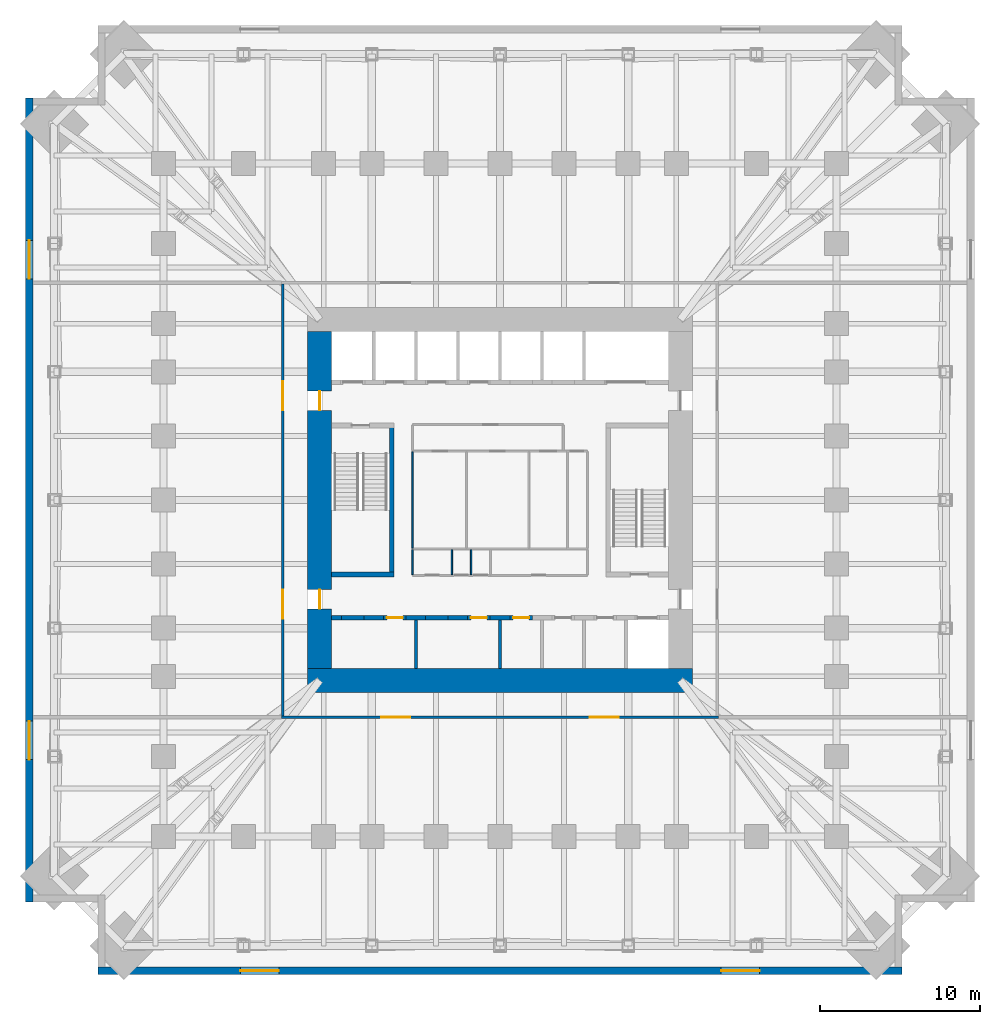
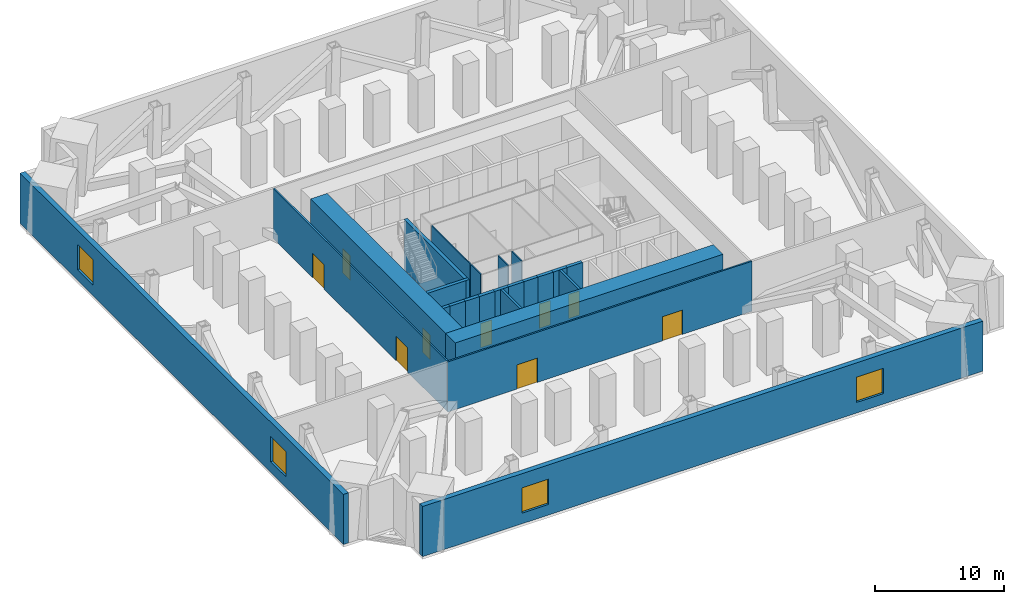
# One storey, part 5 of 9: 24 walls, 9 doors, 4 windows, 13 openings.
"""IFC4 building model written with IfcOpenShell, lengths in metres."""

from ifc_helpers import new_model, si_unit, direction, frame, frame_2d, origin, place, context, subcontext, project, spatial, rectangle, extrude, material, layer, layer_set, type_object, element, fill, save


model = new_model("IFC4")

# Units and contexts
model_context = context("Model", 3, precision=1e-05, world=origin(), true_north=direction((0.0, 1.0)))
body_context = subcontext(model_context, "Body", "Model", "MODEL_VIEW")
ifc_project = project(units=[si_unit("LENGTHUNIT", "METRE"), si_unit("AREAUNIT", "SQUARE_METRE"), si_unit("VOLUMEUNIT", "CUBIC_METRE"), si_unit("PLANEANGLEUNIT", "RADIAN"), si_unit("MASSUNIT", "GRAM", prefix="KILO")], contexts=[model_context])

# Site, building, storey
site_placement = place(None, origin())
site = spatial("IfcSite", under=ifc_project, at=site_placement, CompositionType="ELEMENT")
building_placement = place(site_placement, origin())
building = spatial("IfcBuilding", under=site, at=building_placement, Name="Peilmerk Tower", CompositionType="ELEMENT")
storey_placement = place(building_placement, frame((0.0, 0.0, 76.0)))
storey = spatial("IfcBuildingStorey", under=building, at=storey_placement, Name="L14", CompositionType="ELEMENT", Elevation=76.0)

# Wall, openings, windows
ifc_material_1 = material(Name="Precast concrete C45/55, board-marked finish", Category="concrete")
ifc_layer_1 = layer(ifc_material_1, 0.449951171875)
ifc_layer_set_1 = layer_set([ifc_layer_1], Name="Precast concrete C45/55, board-marked finish")
wall_type_1 = type_object("IfcWallType", Name="EW1 450 precast concrete facade wall, board-marked", PredefinedType="SOLIDWALL", material=ifc_layer_set_1)
wall_1_placement = place(storey_placement, frame((-25.10009765625, -29.375, 0.0), z_axis=(0.0, 0.0, 1.0), x_axis=(1.0, 0.0, 0.0)))
wall_1 = element("IfcWall", 1, at=wall_1_placement, inside=storey, type_object=wall_type_1, Name="Facade wall S L14", PredefinedType="SOLIDWALL", context=body_context, shape_type="SweptSolid", body=[
    extrude(rectangle(XDim=50.2001953125, YDim=0.449951171875, at=frame_2d((25.10009765625, 0.0))), origin(), (0.0, 0.0, 1.0), 4.75),
])
opening_1_placement = place(wall_1_placement, frame((8.89990234375, 0.0, 1.0)))
opening_1 = element("IfcOpeningElement", 2, at=opening_1_placement, cuts=wall_1, Name="Opening W5", PredefinedType="OPENING", context=body_context, shape_type="SweptSolid", body=[
    extrude(rectangle(XDim=2.39990234375, YDim=2.39990234375, at=frame_2d((1.199951171875, 1.199951171875))), frame((0.0, 0.23486328125, 0.0), z_axis=(0.0, -1.0, 0.0), x_axis=(1.0, 0.0, 0.0)), (0.0, 0.0, 1.0), 0.469970703125),
])
opening_2_placement = place(wall_1_placement, frame((38.89990234375, 0.0, 1.0)))
opening_2 = element("IfcOpeningElement", 3, at=opening_2_placement, cuts=wall_1, Name="Opening W5", PredefinedType="OPENING", context=body_context, shape_type="SweptSolid", body=[
    extrude(rectangle(XDim=2.39990234375, YDim=2.39990234375, at=frame_2d((1.199951171875, 1.199951171875))), frame((0.0, 0.23486328125, 0.0), z_axis=(0.0, -1.0, 0.0), x_axis=(1.0, 0.0, 0.0)), (0.0, 0.0, 1.0), 0.469970703125),
])
ifc_material_2 = material(Name="Aluminium frame, clear double glazing", Category="aluminium")
window_type = type_object("IfcWindowType", Name="W5 2400x2400 plant louvre", PartitioningType="SINGLE_PANEL", PredefinedType="WINDOW", material=ifc_material_2)
window_1_placement = place(opening_1_placement, origin())
window_1 = element("IfcWindow", 4, at=window_1_placement, inside=storey, type_object=window_type, Name="Window W5 L14", OverallHeight=2.39990234375, OverallWidth=2.39990234375, PartitioningType="SINGLE_PANEL", PredefinedType="WINDOW", context=body_context, shape_type="SweptSolid", body=[
    extrude(rectangle(XDim=2.39990234375, YDim=2.39990234375, at=frame_2d((1.199951171875, 1.199951171875))), frame((0.0, 0.030029296875, 0.0), z_axis=(0.0, -1.0, 0.0), x_axis=(1.0, 0.0, 0.0)), (0.0, 0.0, 1.0), 0.06005859375),
])
fill(opening_1, window_1)
window_2_placement = place(opening_2_placement, origin())
window_2 = element("IfcWindow", 5, at=window_2_placement, inside=storey, type_object=window_type, Name="Window W5 L14", OverallHeight=2.39990234375, OverallWidth=2.39990234375, PartitioningType="SINGLE_PANEL", PredefinedType="WINDOW", context=body_context, shape_type="SweptSolid", body=[
    extrude(rectangle(XDim=2.39990234375, YDim=2.39990234375, at=frame_2d((1.199951171875, 1.199951171875))), frame((0.0, 0.030029296875, 0.0), z_axis=(0.0, -1.0, 0.0), x_axis=(1.0, 0.0, 0.0)), (0.0, 0.0, 1.0), 0.06005859375),
])
fill(opening_2, window_2)

wall_2_placement = place(storey_placement, frame((-29.375, 25.10009765625, 0.0), z_axis=(0.0, 0.0, 1.0), x_axis=(0.0, -1.0, 0.0)))
wall_2 = element("IfcWall", 6, at=wall_2_placement, inside=storey, type_object=wall_type_1, Name="Facade wall W L14", PredefinedType="SOLIDWALL", context=body_context, shape_type="SweptSolid", body=[
    extrude(rectangle(XDim=50.2001953125, YDim=0.449951171875, at=frame_2d((25.10009765625, 0.0))), origin(), (0.0, 0.0, 1.0), 4.75),
])
opening_3_placement = place(wall_2_placement, frame((8.89990234375, 0.0, 1.0)))
opening_3 = element("IfcOpeningElement", 7, at=opening_3_placement, cuts=wall_2, Name="Opening W5", PredefinedType="OPENING", context=body_context, shape_type="SweptSolid", body=[
    extrude(rectangle(XDim=2.39990234375, YDim=2.39990234375, at=frame_2d((1.199951171875, 1.199951171875))), frame((0.0, 0.23486328125, 0.0), z_axis=(0.0, -1.0, 0.0), x_axis=(1.0, 0.0, 0.0)), (0.0, 0.0, 1.0), 0.469970703125),
])
opening_4_placement = place(wall_2_placement, frame((38.89990234375, 0.0, 1.0)))
opening_4 = element("IfcOpeningElement", 8, at=opening_4_placement, cuts=wall_2, Name="Opening W5", PredefinedType="OPENING", context=body_context, shape_type="SweptSolid", body=[
    extrude(rectangle(XDim=2.39990234375, YDim=2.39990234375, at=frame_2d((1.199951171875, 1.199951171875))), frame((0.0, 0.23486328125, 0.0), z_axis=(0.0, -1.0, 0.0), x_axis=(1.0, 0.0, 0.0)), (0.0, 0.0, 1.0), 0.469970703125),
])
window_3_placement = place(opening_3_placement, origin())
window_3 = element("IfcWindow", 9, at=window_3_placement, inside=storey, type_object=window_type, Name="Window W5 L14", OverallHeight=2.39990234375, OverallWidth=2.39990234375, PartitioningType="SINGLE_PANEL", PredefinedType="WINDOW", context=body_context, shape_type="SweptSolid", body=[
    extrude(rectangle(XDim=2.39990234375, YDim=2.39990234375, at=frame_2d((1.199951171875, 1.199951171875))), frame((0.0, 0.030029296875, 0.0), z_axis=(0.0, -1.0, 0.0), x_axis=(1.0, 0.0, 0.0)), (0.0, 0.0, 1.0), 0.06005859375),
])
fill(opening_3, window_3)
window_4_placement = place(opening_4_placement, origin())
window_4 = element("IfcWindow", 10, at=window_4_placement, inside=storey, type_object=window_type, Name="Window W5 L14", OverallHeight=2.39990234375, OverallWidth=2.39990234375, PartitioningType="SINGLE_PANEL", PredefinedType="WINDOW", context=body_context, shape_type="SweptSolid", body=[
    extrude(rectangle(XDim=2.39990234375, YDim=2.39990234375, at=frame_2d((1.199951171875, 1.199951171875))), frame((0.0, 0.030029296875, 0.0), z_axis=(0.0, -1.0, 0.0), x_axis=(1.0, 0.0, 0.0)), (0.0, 0.0, 1.0), 0.06005859375),
])
fill(opening_4, window_4)

# Wall, openings, doors
ifc_material_3 = material(Name="Calcium silicate block", Category="masonry")
ifc_layer_2 = layer(ifc_material_3, 0.14990234375)
ifc_layer_set_2 = layer_set([ifc_layer_2], Name="Calcium silicate block")
wall_type_2 = type_object("IfcWallType", Name="IW1 150 corridor partition, EI 60", PredefinedType="PARTITIONING", material=ifc_layer_set_2)
wall_3_placement = place(storey_placement, frame((13.625, -13.550048828125, 0.0), z_axis=(0.0, 0.0, 1.0), x_axis=(-1.0, 0.0, 0.0)))
wall_3 = element("IfcWall", 11, at=wall_3_placement, inside=storey, type_object=wall_type_2, Name="Corridor wall S L14", PredefinedType="PARTITIONING", context=body_context, shape_type="SweptSolid", body=[
    extrude(rectangle(XDim=27.25, YDim=0.14990234375, at=frame_2d((13.625, 0.0))), origin(), (0.0, 0.0, 1.0), 4.75),
])
opening_5_placement = place(wall_3_placement, frame((19.22509765625, 0.0, 0.0)))
opening_5 = element("IfcOpeningElement", 12, at=opening_5_placement, cuts=wall_3, Name="Opening D2", PredefinedType="OPENING", context=body_context, shape_type="SweptSolid", body=[
    extrude(rectangle(XDim=1.800048828125, YDim=2.300048828125, at=frame_2d((0.89990234375, 1.14990234375))), frame((0.0, 0.0849609375, 0.0), z_axis=(0.0, -1.0, 0.0), x_axis=(1.0, 0.0, 0.0)), (0.0, 0.0, 1.0), 0.169921875),
])
opening_6_placement = place(wall_3_placement, frame((6.22509765625, 0.0, 0.0)))
opening_6 = element("IfcOpeningElement", 13, at=opening_6_placement, cuts=wall_3, Name="Opening D2", PredefinedType="OPENING", context=body_context, shape_type="SweptSolid", body=[
    extrude(rectangle(XDim=1.800048828125, YDim=2.300048828125, at=frame_2d((0.89990234375, 1.14990234375))), frame((0.0, 0.0849609375, 0.0), z_axis=(0.0, -1.0, 0.0), x_axis=(1.0, 0.0, 0.0)), (0.0, 0.0, 1.0), 0.169921875),
])
ifc_material_4 = material(Name="Steel door in steel frame", Category="steel")
door_type_1 = type_object("IfcDoorType", Name="D2 1800x2300 double door, EI2 60", OperationType="DOUBLE_DOOR_DOUBLE_SWING", PredefinedType="DOOR", material=ifc_material_4)
door_1_placement = place(opening_5_placement, origin())
door_1 = element("IfcDoor", 14, at=door_1_placement, inside=storey, type_object=door_type_1, Name="Door Plant room L14", OperationType="DOUBLE_DOOR_DOUBLE_SWING", OverallHeight=2.300048828125, OverallWidth=1.800048828125, PredefinedType="DOOR", context=body_context, shape_type="SweptSolid", body=[
    extrude(rectangle(XDim=1.800048828125, YDim=2.300048828125, at=frame_2d((0.89990234375, 1.14990234375))), frame((0.0, 0.02490234375, 0.0), z_axis=(0.0, -1.0, 0.0), x_axis=(1.0, 0.0, 0.0)), (0.0, 0.0, 1.0), 0.050048828125),
])
fill(opening_5, door_1)
door_2_placement = place(opening_6_placement, origin())
door_2 = element("IfcDoor", 15, at=door_2_placement, inside=storey, type_object=door_type_1, Name="Door Plant room L14", OperationType="DOUBLE_DOOR_DOUBLE_SWING", OverallHeight=2.300048828125, OverallWidth=1.800048828125, PredefinedType="DOOR", context=body_context, shape_type="SweptSolid", body=[
    extrude(rectangle(XDim=1.800048828125, YDim=2.300048828125, at=frame_2d((0.89990234375, 1.14990234375))), frame((0.0, 0.02490234375, 0.0), z_axis=(0.0, -1.0, 0.0), x_axis=(1.0, 0.0, 0.0)), (0.0, 0.0, 1.0), 0.050048828125),
])
fill(opening_6, door_2)

wall_4_placement = place(storey_placement, frame((-13.550048828125, 13.47509765625, 0.0), z_axis=(0.0, 0.0, 1.0), x_axis=(0.0, -1.0, 0.0)))
wall_4 = element("IfcWall", 16, at=wall_4_placement, inside=storey, type_object=wall_type_2, Name="Corridor wall W L14", PredefinedType="PARTITIONING", context=body_context, shape_type="SweptSolid", body=[
    extrude(rectangle(XDim=26.9501953125, YDim=0.14990234375, at=frame_2d((13.47509765625, 0.0))), origin(), (0.0, 0.0, 1.0), 4.75),
])
opening_7_placement = place(wall_4_placement, frame((19.074951171875, 0.0, 0.0)))
opening_7 = element("IfcOpeningElement", 17, at=opening_7_placement, cuts=wall_4, Name="Opening D2", PredefinedType="OPENING", context=body_context, shape_type="SweptSolid", body=[
    extrude(rectangle(XDim=1.800048828125, YDim=2.300048828125, at=frame_2d((0.89990234375, 1.14990234375))), frame((0.0, 0.0849609375, 0.0), z_axis=(0.0, -1.0, 0.0), x_axis=(1.0, 0.0, 0.0)), (0.0, 0.0, 1.0), 0.169921875),
])
opening_8_placement = place(wall_4_placement, frame((6.074951171875, 0.0, 0.0)))
opening_8 = element("IfcOpeningElement", 18, at=opening_8_placement, cuts=wall_4, Name="Opening D2", PredefinedType="OPENING", context=body_context, shape_type="SweptSolid", body=[
    extrude(rectangle(XDim=1.800048828125, YDim=2.300048828125, at=frame_2d((0.89990234375, 1.14990234375))), frame((0.0, 0.0849609375, 0.0), z_axis=(0.0, -1.0, 0.0), x_axis=(1.0, 0.0, 0.0)), (0.0, 0.0, 1.0), 0.169921875),
])
door_3_placement = place(opening_7_placement, frame((1.800048828125, 0.0, 0.0), z_axis=(0.0, 0.0, 1.0), x_axis=(-1.0, 0.0, 0.0)))
door_3 = element("IfcDoor", 19, at=door_3_placement, inside=storey, type_object=door_type_1, Name="Door Plant room L14", OperationType="DOUBLE_DOOR_DOUBLE_SWING", OverallHeight=2.300048828125, OverallWidth=1.800048828125, PredefinedType="DOOR", context=body_context, shape_type="SweptSolid", body=[
    extrude(rectangle(XDim=1.800048828125, YDim=2.300048828125, at=frame_2d((0.89990234375, 1.14990234375))), frame((0.0, 0.02490234375, 0.0), z_axis=(0.0, -1.0, 0.0), x_axis=(1.0, 0.0, 0.0)), (0.0, 0.0, 1.0), 0.050048828125),
])
fill(opening_7, door_3)
door_4_placement = place(opening_8_placement, frame((1.800048828125, 0.0, 0.0), z_axis=(0.0, 0.0, 1.0), x_axis=(-1.0, 0.0, 0.0)))
door_4 = element("IfcDoor", 20, at=door_4_placement, inside=storey, type_object=door_type_1, Name="Door Plant room L14", OperationType="DOUBLE_DOOR_DOUBLE_SWING", OverallHeight=2.300048828125, OverallWidth=1.800048828125, PredefinedType="DOOR", context=body_context, shape_type="SweptSolid", body=[
    extrude(rectangle(XDim=1.800048828125, YDim=2.300048828125, at=frame_2d((0.89990234375, 1.14990234375))), frame((0.0, 0.02490234375, 0.0), z_axis=(0.0, -1.0, 0.0), x_axis=(1.0, 0.0, 0.0)), (0.0, 0.0, 1.0), 0.050048828125),
])
fill(opening_8, door_4)

# Walls
ifc_material_5 = material(Name="Concrete C35/45", Category="concrete")
ifc_layer_3 = layer(ifc_material_5, 0.300048828125)
ifc_layer_set_3 = layer_set([ifc_layer_3], Name="Concrete C35/45")
wall_type_3 = type_object("IfcWallType", Name="IW3 300 concrete stair enclosure wall, EI 120", PredefinedType="SOLIDWALL", material=ifc_layer_set_3)
wall_5_placement = place(storey_placement, frame((-6.75, -4.800048828125, 0.0), z_axis=(0.0, 0.0, 1.0), x_axis=(0.0, 1.0, 0.0)))
element("IfcWall", 21, at=wall_5_placement, inside=storey, type_object=wall_type_3, Name="Stair 1 enclosure L14", PredefinedType="SOLIDWALL", context=body_context, shape_type="SweptSolid", body=[
    extrude(rectangle(XDim=9.60009765625, YDim=0.300048828125, at=frame_2d((4.800048828125, 0.0))), origin(), (0.0, 0.0, 1.0), 4.75),
])
wall_6_placement = place(storey_placement, frame((-6.60009765625, -4.64990234375, 0.0), z_axis=(0.0, 0.0, 1.0), x_axis=(-1.0, 0.0, 0.0)))
element("IfcWall", 22, at=wall_6_placement, inside=storey, type_object=wall_type_3, Name="Stair 1 enclosure L14", PredefinedType="SOLIDWALL", context=body_context, shape_type="SweptSolid", body=[
    extrude(rectangle(XDim=3.89990234375, YDim=0.300048828125, at=frame_2d((1.949951171875, 0.0))), origin(), (0.0, 0.0, 1.0), 4.75),
])
ifc_material_6 = material(Name="Plasterboard on steel studs", Category="steel")
ifc_layer_4 = layer(ifc_material_6, 0.10009765625)
ifc_layer_set_4 = layer_set([ifc_layer_4], Name="Plasterboard on steel studs")
wall_type_4 = type_object("IfcWallType", Name="IW4 100 WC partition", PredefinedType="PARTITIONING", material=ifc_layer_set_4)
wall_7_placement = place(storey_placement, frame((-5.449951171875, -3.0, 0.0), z_axis=(0.0, 0.0, 1.0), x_axis=(0.0, 1.0, 0.0)))
element("IfcWall", 23, at=wall_7_placement, inside=storey, type_object=wall_type_4, Name="WC wall L14", PredefinedType="PARTITIONING", context=body_context, shape_type="SweptSolid", body=[
    extrude(rectangle(XDim=6.0, YDim=0.10009765625, at=frame_2d((3.0, 0.0))), origin(), (0.0, 0.0, 1.0), 4.75),
])
ifc_material_7 = material(Name="Calcium silicate board on steel studs", Category="steel")
ifc_layer_5 = layer(ifc_material_7, 0.10009765625)
ifc_layer_set_5 = layer_set([ifc_layer_5], Name="Calcium silicate board on steel studs")
wall_type_5 = type_object("IfcWallType", Name="IW5 100 riser enclosure wall, EI 60", PredefinedType="PARTITIONING", material=ifc_layer_set_5)
for number, where, z_axis, x_axis, name in (
    (24, (-5.449951171875, -3.10009765625, 0.0), (0.0, 0.0, 1.0), (0.0, -1.0, 0.0), "Riser wall L14"),
    (25, (-3.0, -3.10009765625, 0.0), (0.0, 0.0, 1.0), (0.0, -1.0, 0.0), "Riser wall L14"),
    (26, (-1.800048828125, -3.10009765625, 0.0), (0.0, 0.0, 1.0), (0.0, -1.0, 0.0), "Riser wall L14"),
):
    element("IfcWall", number, at=place(storey_placement, frame(where, z_axis=z_axis, x_axis=x_axis)), inside=storey, type_object=wall_type_5, Name=name, PredefinedType="PARTITIONING", context=body_context, shape_type="SweptSolid", body=[
        extrude(rectangle(XDim=1.5498046875, YDim=0.10009765625, at=frame_2d((0.77490234375, 0.0))), origin(), (0.0, 0.0, 1.0), 4.75),
    ])
ifc_layer_6 = layer(ifc_material_3, 0.199951171875)
ifc_layer_set_6 = layer_set([ifc_layer_6], Name="Calcium silicate block")
wall_type_6 = type_object("IfcWallType", Name="SH1 200 shaft dividing wall, EI 120", PredefinedType="PARTITIONING", material=ifc_layer_set_6)
for number, where, z_axis, x_axis, name in (
    (27, (-5.25, -10.5, 0.0), (0.0, 0.0, 1.0), (0.0, 1.0, 0.0), "Shaft wall S C3 L14"),
    (28, (0.0, -10.5, 0.0), (0.0, 0.0, 1.0), (0.0, 1.0, 0.0), "Shaft wall S C1 L14"),
):
    element("IfcWall", number, at=place(storey_placement, frame(where, z_axis=z_axis, x_axis=x_axis)), inside=storey, type_object=wall_type_6, Name=name, PredefinedType="PARTITIONING", context=body_context, shape_type="SweptSolid", body=[
        extrude(rectangle(XDim=3.0, YDim=0.199951171875, at=frame_2d((1.5, 0.0))), origin(), (0.0, 0.0, 1.0), 5.0),
    ])
ifc_layer_7 = layer(ifc_material_3, 0.300048828125)
ifc_layer_set_7 = layer_set([ifc_layer_7], Name="Calcium silicate block")
wall_type_7 = type_object("IfcWallType", Name="SH2 300 lift landing door panel, EI 120", PredefinedType="PARTITIONING", material=ifc_layer_set_7)
wall_8_placement = place(storey_placement, frame((-9.887451171875, -7.35009765625, 0.0), z_axis=(0.0, 0.0, 1.0), x_axis=(1.0, 0.0, 0.0)))
element("IfcWall", 29, at=wall_8_placement, inside=storey, type_object=wall_type_7, Name="Lift door panel S C4 L14", PredefinedType="PARTITIONING", context=body_context, shape_type="SweptSolid", body=[
    extrude(rectangle(XDim=1.39990234375, YDim=0.300048828125, at=frame_2d((0.699951171875, 0.0))), origin(), (0.0, 0.0, 1.0), 5.0),
])

# Wall, opening, door
wall_9_placement = place(storey_placement, frame((-7.262451171875, -7.35009765625, 0.0), z_axis=(0.0, 0.0, 1.0), x_axis=(1.0, 0.0, 0.0)))
wall_9 = element("IfcWall", 30, at=wall_9_placement, inside=storey, type_object=wall_type_7, Name="Lift door panel S C3 L14", PredefinedType="PARTITIONING", context=body_context, shape_type="SweptSolid", body=[
    extrude(rectangle(XDim=1.39990234375, YDim=0.300048828125, at=frame_2d((0.699951171875, 0.0))), origin(), (0.0, 0.0, 1.0), 5.0),
])
opening_9_placement = place(wall_9_placement, frame((0.199951171875, 0.0, 0.0)))
opening_9 = element("IfcOpeningElement", 31, at=opening_9_placement, cuts=wall_9, Name="Opening D10", PredefinedType="OPENING", context=body_context, shape_type="SweptSolid", body=[
    extrude(rectangle(XDim=1.0, YDim=2.300048828125, at=frame_2d((0.5, 1.14990234375))), frame((0.0, 0.159912109375, 0.0), z_axis=(0.0, -1.0, 0.0), x_axis=(1.0, 0.0, 0.0)), (0.0, 0.0, 1.0), 0.320068359375),
])
door_type_2 = type_object("IfcDoorType", Name="D10 1000x2300 core room door, EI2 60", OperationType="SINGLE_SWING_RIGHT", PredefinedType="DOOR", material=ifc_material_4)
door_5_placement = place(opening_9_placement, frame((1.0, 0.0, 0.0), z_axis=(0.0, 0.0, 1.0), x_axis=(-1.0, 0.0, 0.0)))
door_5 = element("IfcDoor", 32, at=door_5_placement, inside=storey, type_object=door_type_2, Name="Door Plant room L14", OperationType="SINGLE_SWING_RIGHT", OverallHeight=2.300048828125, OverallWidth=1.0, PredefinedType="DOOR", context=body_context, shape_type="SweptSolid", body=[
    extrude(rectangle(XDim=1.0, YDim=2.300048828125, at=frame_2d((0.5, 1.14990234375))), frame((0.0, 0.02490234375, 0.0), z_axis=(0.0, -1.0, 0.0), x_axis=(1.0, 0.0, 0.0)), (0.0, 0.0, 1.0), 0.050048828125),
])
fill(opening_9, door_5)

# Wall
wall_10_placement = place(storey_placement, frame((-4.637451171875, -7.35009765625, 0.0), z_axis=(0.0, 0.0, 1.0), x_axis=(1.0, 0.0, 0.0)))
element("IfcWall", 33, at=wall_10_placement, inside=storey, type_object=wall_type_7, Name="Lift door panel S C2 L14", PredefinedType="PARTITIONING", context=body_context, shape_type="SweptSolid", body=[
    extrude(rectangle(XDim=1.39990234375, YDim=0.300048828125, at=frame_2d((0.699951171875, 0.0))), origin(), (0.0, 0.0, 1.0), 5.0),
])

# Wall, opening, door
wall_11_placement = place(storey_placement, frame((-2.012451171875, -7.35009765625, 0.0), z_axis=(0.0, 0.0, 1.0), x_axis=(1.0, 0.0, 0.0)))
wall_11 = element("IfcWall", 34, at=wall_11_placement, inside=storey, type_object=wall_type_7, Name="Lift door panel S C1 L14", PredefinedType="PARTITIONING", context=body_context, shape_type="SweptSolid", body=[
    extrude(rectangle(XDim=1.39990234375, YDim=0.300048828125, at=frame_2d((0.699951171875, 0.0))), origin(), (0.0, 0.0, 1.0), 5.0),
])
opening_10_placement = place(wall_11_placement, frame((0.199951171875, 0.0, 0.0)))
opening_10 = element("IfcOpeningElement", 35, at=opening_10_placement, cuts=wall_11, Name="Opening D10", PredefinedType="OPENING", context=body_context, shape_type="SweptSolid", body=[
    extrude(rectangle(XDim=1.0, YDim=2.300048828125, at=frame_2d((0.5, 1.14990234375))), frame((0.0, 0.159912109375, 0.0), z_axis=(0.0, -1.0, 0.0), x_axis=(1.0, 0.0, 0.0)), (0.0, 0.0, 1.0), 0.320068359375),
])
door_6_placement = place(opening_10_placement, frame((1.0, 0.0, 0.0), z_axis=(0.0, 0.0, 1.0), x_axis=(-1.0, 0.0, 0.0)))
door_6 = element("IfcDoor", 36, at=door_6_placement, inside=storey, type_object=door_type_2, Name="Door Comms plant room L14", OperationType="SINGLE_SWING_RIGHT", OverallHeight=2.300048828125, OverallWidth=1.0, PredefinedType="DOOR", context=body_context, shape_type="SweptSolid", body=[
    extrude(rectangle(XDim=1.0, YDim=2.300048828125, at=frame_2d((0.5, 1.14990234375))), frame((0.0, 0.02490234375, 0.0), z_axis=(0.0, -1.0, 0.0), x_axis=(1.0, 0.0, 0.0)), (0.0, 0.0, 1.0), 0.050048828125),
])
fill(opening_10, door_6)

wall_12_placement = place(storey_placement, frame((0.612548828125, -7.35009765625, 0.0), z_axis=(0.0, 0.0, 1.0), x_axis=(1.0, 0.0, 0.0)))
wall_12 = element("IfcWall", 37, at=wall_12_placement, inside=storey, type_object=wall_type_7, Name="Lift door panel S B3 L14", PredefinedType="PARTITIONING", context=body_context, shape_type="SweptSolid", body=[
    extrude(rectangle(XDim=1.39990234375, YDim=0.300048828125, at=frame_2d((0.699951171875, 0.0))), origin(), (0.0, 0.0, 1.0), 5.0),
])
opening_11_placement = place(wall_12_placement, frame((0.199951171875, 0.0, 0.0)))
opening_11 = element("IfcOpeningElement", 38, at=opening_11_placement, cuts=wall_12, Name="Opening D10", PredefinedType="OPENING", context=body_context, shape_type="SweptSolid", body=[
    extrude(rectangle(XDim=1.0, YDim=2.300048828125, at=frame_2d((0.5, 1.14990234375))), frame((0.0, 0.159912109375, 0.0), z_axis=(0.0, -1.0, 0.0), x_axis=(1.0, 0.0, 0.0)), (0.0, 0.0, 1.0), 0.320068359375),
])
door_7_placement = place(opening_11_placement, frame((1.0, 0.0, 0.0), z_axis=(0.0, 0.0, 1.0), x_axis=(-1.0, 0.0, 0.0)))
door_7 = element("IfcDoor", 39, at=door_7_placement, inside=storey, type_object=door_type_2, Name="Door Water plant room L14", OperationType="SINGLE_SWING_RIGHT", OverallHeight=2.300048828125, OverallWidth=1.0, PredefinedType="DOOR", context=body_context, shape_type="SweptSolid", body=[
    extrude(rectangle(XDim=1.0, YDim=2.300048828125, at=frame_2d((0.5, 1.14990234375))), frame((0.0, 0.02490234375, 0.0), z_axis=(0.0, -1.0, 0.0), x_axis=(1.0, 0.0, 0.0)), (0.0, 0.0, 1.0), 0.050048828125),
])
fill(opening_11, door_7)

# Wall
ifc_material_8 = material(Name="Concrete C55/67", Category="concrete")
ifc_layer_8 = layer(ifc_material_8, 1.5)
ifc_layer_set_8 = layer_set([ifc_layer_8], Name="Concrete C55/67")
wall_type_8 = type_object("IfcWallType", Name="SW1 1500 core wall", PredefinedType="SHEAR", material=ifc_layer_set_8)
wall_13_placement = place(storey_placement, frame((12.0, -11.25, 0.0), z_axis=(0.0, 0.0, 1.0), x_axis=(-1.0, 0.0, 0.0)))
element("IfcWall", 40, at=wall_13_placement, inside=storey, type_object=wall_type_8, Name="Core wall S L14", PredefinedType="SHEAR", context=body_context, shape_type="SweptSolid", body=[
    extrude(rectangle(XDim=24.0, YDim=1.5, at=frame_2d((12.0, 0.0))), origin(), (0.0, 0.0, 1.0), 5.0),
])

# Wall, openings, doors
wall_14_placement = place(storey_placement, frame((-11.25, -10.5, 0.0), z_axis=(0.0, 0.0, 1.0), x_axis=(0.0, 1.0, 0.0)))
wall_14 = element("IfcWall", 41, at=wall_14_placement, inside=storey, type_object=wall_type_8, Name="Core wall W L14", PredefinedType="SHEAR", context=body_context, shape_type="SweptSolid", body=[
    extrude(rectangle(XDim=21.0, YDim=1.5, at=frame_2d((10.5, 0.0))), origin(), (0.0, 0.0, 1.0), 5.0),
])
opening_12_placement = place(wall_14_placement, frame((16.10009765625, 0.0, 0.0)))
opening_12 = element("IfcOpeningElement", 42, at=opening_12_placement, cuts=wall_14, Name="Opening D3", PredefinedType="OPENING", context=body_context, shape_type="SweptSolid", body=[
    extrude(rectangle(XDim=1.199951171875, YDim=2.300048828125, at=frame_2d((0.60009765625, 1.14990234375))), frame((0.0, 0.760009765625, 0.0), z_axis=(0.0, -1.0, 0.0), x_axis=(1.0, 0.0, 0.0)), (0.0, 0.0, 1.0), 1.52001953125),
])
opening_13_placement = place(wall_14_placement, frame((3.699951171875, 0.0, 0.0)))
opening_13 = element("IfcOpeningElement", 43, at=opening_13_placement, cuts=wall_14, Name="Opening D3", PredefinedType="OPENING", context=body_context, shape_type="SweptSolid", body=[
    extrude(rectangle(XDim=1.199951171875, YDim=2.300048828125, at=frame_2d((0.60009765625, 1.14990234375))), frame((0.0, 0.760009765625, 0.0), z_axis=(0.0, -1.0, 0.0), x_axis=(1.0, 0.0, 0.0)), (0.0, 0.0, 1.0), 1.52001953125),
])
door_type_3 = type_object("IfcDoorType", Name="D3 1200x2300 core door, EI2 60", OperationType="SINGLE_SWING_LEFT", PredefinedType="DOOR", material=ifc_material_4)
door_8_placement = place(opening_12_placement, frame((1.199951171875, 0.0, 0.0), z_axis=(0.0, 0.0, 1.0), x_axis=(-1.0, 0.0, 0.0)))
door_8 = element("IfcDoor", 44, at=door_8_placement, inside=storey, type_object=door_type_3, Name="Core door L14", OperationType="SINGLE_SWING_LEFT", OverallHeight=2.300048828125, OverallWidth=1.199951171875, PredefinedType="DOOR", context=body_context, shape_type="SweptSolid", body=[
    extrude(rectangle(XDim=1.199951171875, YDim=2.300048828125, at=frame_2d((0.60009765625, 1.14990234375))), frame((0.0, 0.02490234375, 0.0), z_axis=(0.0, -1.0, 0.0), x_axis=(1.0, 0.0, 0.0)), (0.0, 0.0, 1.0), 0.050048828125),
])
fill(opening_12, door_8)
door_9_placement = place(opening_13_placement, frame((1.199951171875, 0.0, 0.0), z_axis=(0.0, 0.0, 1.0), x_axis=(-1.0, 0.0, 0.0)))
door_9 = element("IfcDoor", 45, at=door_9_placement, inside=storey, type_object=door_type_3, Name="Core door L14", OperationType="SINGLE_SWING_LEFT", OverallHeight=2.300048828125, OverallWidth=1.199951171875, PredefinedType="DOOR", context=body_context, shape_type="SweptSolid", body=[
    extrude(rectangle(XDim=1.199951171875, YDim=2.300048828125, at=frame_2d((0.60009765625, 1.14990234375))), frame((0.0, 0.02490234375, 0.0), z_axis=(0.0, -1.0, 0.0), x_axis=(1.0, 0.0, 0.0)), (0.0, 0.0, 1.0), 0.050048828125),
])
fill(opening_13, door_9)

# Walls
ifc_layer_9 = layer(ifc_material_8, 0.300048828125)
ifc_layer_set_9 = layer_set([ifc_layer_9], Name="Concrete C55/67")
wall_type_9 = type_object("IfcWallType", Name="SW2 300 lift bank pier", PredefinedType="SHEAR", material=ifc_layer_set_9)
wall_15_placement = place(storey_placement, frame((-10.5, -7.35009765625, 0.0), z_axis=(0.0, 0.0, 1.0), x_axis=(1.0, 0.0, 0.0)))
element("IfcWall", 46, at=wall_15_placement, inside=storey, type_object=wall_type_9, Name="Lift bank pier S L14", PredefinedType="SHEAR", context=body_context, shape_type="SweptSolid", body=[
    extrude(rectangle(XDim=0.612548828125, YDim=0.300048828125, at=frame_2d((0.30615234375, 0.0))), origin(), (0.0, 0.0, 1.0), 5.0),
])
for number, where, z_axis, x_axis, name in (
    (47, (-8.487548828125, -7.35009765625, 0.0), (0.0, 0.0, 1.0), (1.0, 0.0, 0.0), "Lift bank pier S L14"),
    (48, (-5.862548828125, -7.35009765625, 0.0), (0.0, 0.0, 1.0), (1.0, 0.0, 0.0), "Lift bank pier S L14"),
    (49, (-3.237548828125, -7.35009765625, 0.0), (0.0, 0.0, 1.0), (1.0, 0.0, 0.0), "Lift bank pier S L14"),
    (50, (-0.612548828125, -7.35009765625, 0.0), (0.0, 0.0, 1.0), (1.0, 0.0, 0.0), "Lift bank pier S L14"),
):
    element("IfcWall", number, at=place(storey_placement, frame(where, z_axis=z_axis, x_axis=x_axis)), inside=storey, type_object=wall_type_9, Name=name, PredefinedType="SHEAR", context=body_context, shape_type="SweptSolid", body=[
        extrude(rectangle(XDim=1.22509765625, YDim=0.300048828125, at=frame_2d((0.612548828125, 0.0))), origin(), (0.0, 0.0, 1.0), 5.0),
    ])

save(model, "model.ifc")
